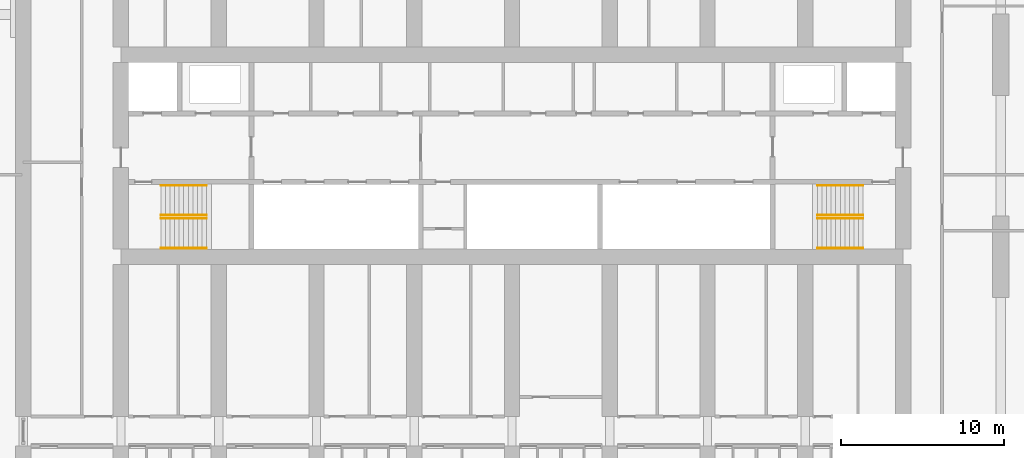
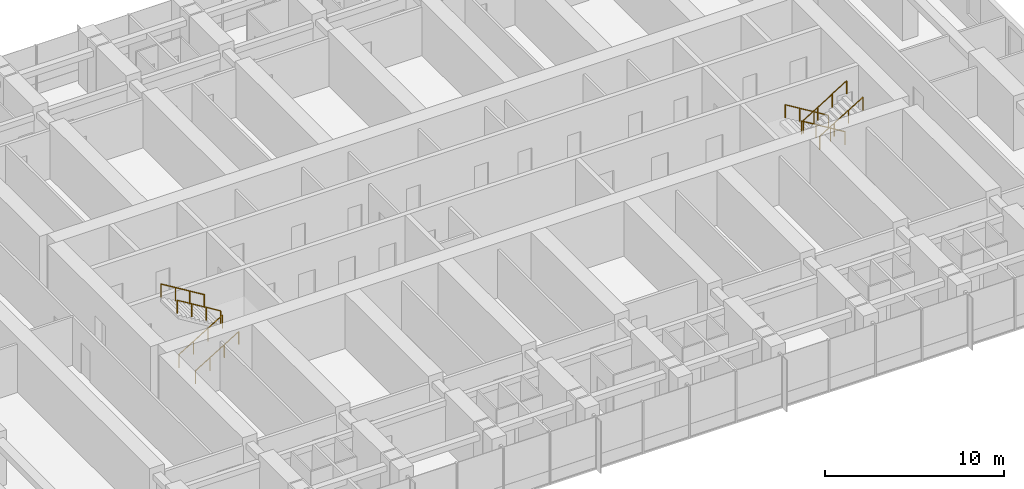
# One storey, part 21 of 21: 8 railings.
"""IFC4 building model written with IfcOpenShell, lengths in metres."""

from ifc_helpers import new_model, si_unit, direction, frame, origin, origin_2d, place, context, subcontext, project, spatial, circle, extrude, material, type_object, element, save


model = new_model("IFC4")

# Units and contexts
model_context = context("Model", 3, precision=1e-05, world=origin(), true_north=direction((0.0, 1.0)))
body_context = subcontext(model_context, "Body", "Model", "MODEL_VIEW")
ifc_project = project(units=[si_unit("LENGTHUNIT", "METRE"), si_unit("AREAUNIT", "SQUARE_METRE"), si_unit("VOLUMEUNIT", "CUBIC_METRE"), si_unit("PLANEANGLEUNIT", "RADIAN"), si_unit("MASSUNIT", "GRAM", prefix="KILO")], contexts=[model_context])

# Site, building, storey
site_placement = place(None, origin())
site = spatial("IfcSite", under=ifc_project, at=site_placement, CompositionType="ELEMENT")
building_placement = place(site_placement, origin())
building = spatial("IfcBuilding", under=site, at=building_placement, Name="Orbita Commons", CompositionType="ELEMENT")
storey_placement = place(building_placement, frame((0.0, 0.0, 95.64990234375)))
storey = spatial("IfcBuildingStorey", under=building, at=storey_placement, Name="L23", CompositionType="ELEMENT", Elevation=95.64990234375)

# Railings
ifc_material = material(Name="Steel tube, painted", Category="steel")
railing_type = type_object("IfcRailingType", Name="Stair handrail steel tube 900", PredefinedType="HANDRAIL", material=ifc_material)
for number, where, name in (
    (1, (20.449951171875, 28.1650390625, 0.170654296875), "Stair S1 handrail L23 flight 1"),
    (2, (20.449951171875, 26.3349609375, 0.170654296875), "Stair S1 handrail L23 flight 1"),
):
    element("IfcRailing", number, at=place(storey_placement, frame(where)), inside=storey, type_object=railing_type, Name=name, PredefinedType="HANDRAIL", context=body_context, shape_type="SweptSolid", body=[
        extrude(circle(Radius=0.02099609375, at=origin_2d()), frame((0.0, 0.0, 0.87890625), z_axis=(0.854202870247, 0.0, 0.519939858505), x_axis=(0.0, 1.0, 0.0)), (0.0, 0.0, 1.0), 3.278076171875),
        extrude(circle(Radius=0.02001953125, at=origin_2d()), origin(), (0.0, 0.0, 1.0), 0.85791015625),
        extrude(circle(Radius=0.02001953125, at=origin_2d()), frame((0.933349609375, 0.0, 0.568115234375)), (0.0, 0.0, 1.0), 0.85791015625),
        extrude(circle(Radius=0.02001953125, at=origin_2d()), frame((1.86669921875, 0.0, 1.13623046875)), (0.0, 0.0, 1.0), 0.85791015625),
        extrude(circle(Radius=0.02001953125, at=origin_2d()), frame((2.800048828125, 0.0, 1.704345703125)), (0.0, 0.0, 1.0), 0.85791015625),
    ])
for number, where, name in (
    (3, (23.25, 28.360107421875, 2.045654296875), "Stair S1 handrail L23 flight 2"),
    (4, (23.25, 30.18994140625, 2.045654296875), "Stair S1 handrail L23 flight 2"),
    (5, (63.550048828125, 28.360107421875, 0.170654296875), "Stair S2 handrail L23 flight 1"),
    (6, (63.550048828125, 30.18994140625, 0.170654296875), "Stair S2 handrail L23 flight 1"),
):
    element("IfcRailing", number, at=place(storey_placement, frame(where)), inside=storey, type_object=railing_type, Name=name, PredefinedType="HANDRAIL", context=body_context, shape_type="SweptSolid", body=[
        extrude(circle(Radius=0.02099609375, at=origin_2d()), frame((0.0, 0.0, 0.87890625), z_axis=(-0.854202870247, 0.0, 0.519939858505), x_axis=(0.0, -1.0, 0.0)), (0.0, 0.0, 1.0), 3.278076171875),
        extrude(circle(Radius=0.02001953125, at=origin_2d()), origin(), (0.0, 0.0, 1.0), 0.85791015625),
        extrude(circle(Radius=0.02001953125, at=origin_2d()), frame((-0.933349609375, 0.0, 0.568115234375)), (0.0, 0.0, 1.0), 0.85791015625),
        extrude(circle(Radius=0.02001953125, at=origin_2d()), frame((-1.86669921875, 0.0, 1.13623046875)), (0.0, 0.0, 1.0), 0.85791015625),
        extrude(circle(Radius=0.02001953125, at=origin_2d()), frame((-2.800048828125, 0.0, 1.704345703125)), (0.0, 0.0, 1.0), 0.85791015625),
    ])
for number, where, name in (
    (7, (60.75, 28.1650390625, 2.045654296875), "Stair S2 handrail L23 flight 2"),
    (8, (60.75, 26.3349609375, 2.045654296875), "Stair S2 handrail L23 flight 2"),
):
    element("IfcRailing", number, at=place(storey_placement, frame(where)), inside=storey, type_object=railing_type, Name=name, PredefinedType="HANDRAIL", context=body_context, shape_type="SweptSolid", body=[
        extrude(circle(Radius=0.02099609375, at=origin_2d()), frame((0.0, 0.0, 0.87890625), z_axis=(0.854202870247, 0.0, 0.519939858505), x_axis=(0.0, 1.0, 0.0)), (0.0, 0.0, 1.0), 3.278076171875),
        extrude(circle(Radius=0.02001953125, at=origin_2d()), origin(), (0.0, 0.0, 1.0), 0.85791015625),
        extrude(circle(Radius=0.02001953125, at=origin_2d()), frame((0.933349609375, 0.0, 0.568115234375)), (0.0, 0.0, 1.0), 0.85791015625),
        extrude(circle(Radius=0.02001953125, at=origin_2d()), frame((1.86669921875, 0.0, 1.13623046875)), (0.0, 0.0, 1.0), 0.85791015625),
        extrude(circle(Radius=0.02001953125, at=origin_2d()), frame((2.800048828125, 0.0, 1.704345703125)), (0.0, 0.0, 1.0), 0.85791015625),
    ])

save(model, "model.ifc")
